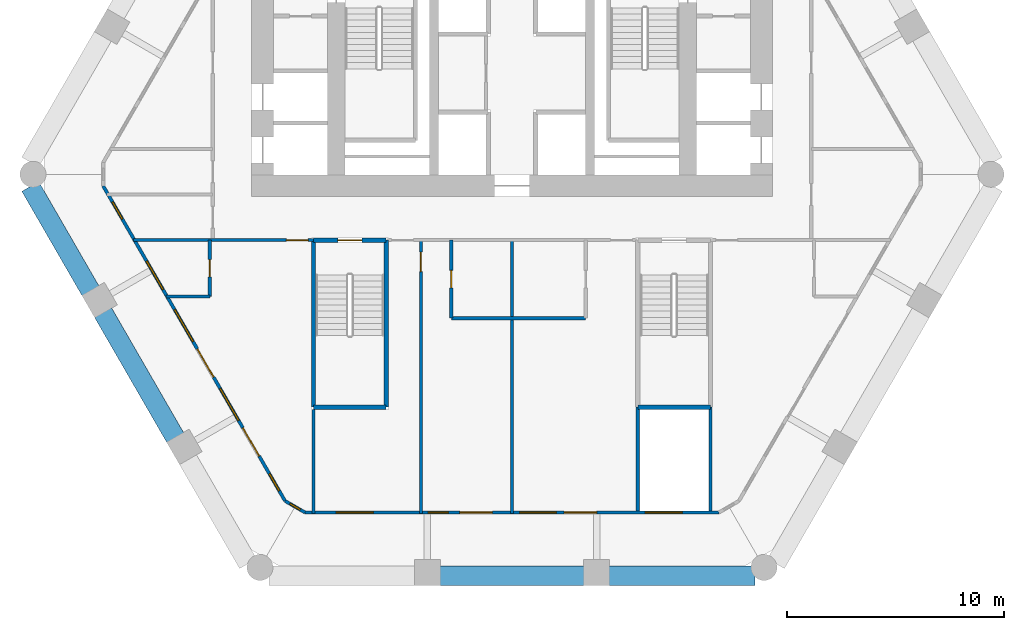
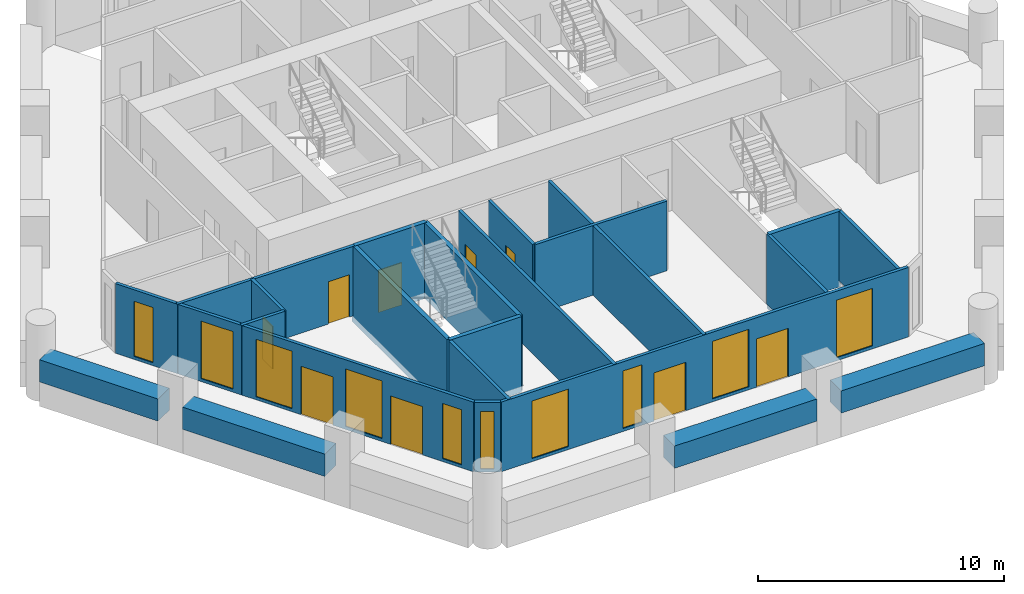
# One storey, part 2 of 7: 22 walls, 10 windows, 9 doors, 19 openings.
"""IFC4 building model written with IfcOpenShell, lengths in metres."""

from ifc_helpers import new_model, si_unit, direction, frame, frame_2d, origin, place, context, subcontext, project, spatial, rectangle, extrude, material, layer, layer_set, type_object, element, fill, save


model = new_model("IFC4")

# Units and contexts
model_context = context("Model", 3, precision=1e-05, world=origin(), true_north=direction((0.0, 1.0)))
body_context = subcontext(model_context, "Body", "Model", "MODEL_VIEW")
ifc_project = project(units=[si_unit("LENGTHUNIT", "METRE"), si_unit("AREAUNIT", "SQUARE_METRE"), si_unit("VOLUMEUNIT", "CUBIC_METRE"), si_unit("PLANEANGLEUNIT", "RADIAN"), si_unit("MASSUNIT", "GRAM", prefix="KILO")], contexts=[model_context])

# Site, building, storey
site_placement = place(None, origin())
site = spatial("IfcSite", under=ifc_project, at=site_placement, CompositionType="ELEMENT")
building_placement = place(site_placement, origin())
building = spatial("IfcBuilding", under=site, at=building_placement, Name="Ostrander Bayou Hotel Tower", CompositionType="ELEMENT")
storey_placement = place(building_placement, frame((0.0, 0.0, 123.5)))
storey = spatial("IfcBuildingStorey", under=building, at=storey_placement, Name="L30", CompositionType="ELEMENT", Elevation=123.5)

# Wall, openings, doors, windows
ifc_material_1 = material(Name="Aluminium framed insulated wall", Category="aluminium")
ifc_layer_1 = layer(ifc_material_1, 0.14990234375)
ifc_layer_set_1 = layer_set([ifc_layer_1], Name="GW1 glass-line wall 150 mm")
wall_type_1 = type_object("IfcWallType", Name="GW1 glass-line wall 150 mm", PredefinedType="SOLIDWALL", material=ifc_layer_set_1)
wall_1_placement = place(storey_placement, frame((-18.8515625, -1.197998046875, 0.0), z_axis=(0.0, 0.0, 1.0), x_axis=(0.499992448691, -0.866029763491, 0.0)))
wall_1 = element("IfcWall", 1, at=wall_1_placement, inside=storey, type_object=wall_type_1, Name="GW1 L30 SW 1", PredefinedType="SOLIDWALL", context=body_context, shape_type="SweptSolid", body=[
    extrude(rectangle(XDim=16.776611328125, YDim=0.14990234375, at=frame_2d((8.38818359375, 0.0))), origin(), (0.0, 0.0, 1.0), 3.449951171875),
])
opening_1_placement = place(wall_1_placement, frame((4.015380859375, 0.0, 0.14990234375)))
opening_1 = element("IfcOpeningElement", 2, at=opening_1_placement, cuts=wall_1, Name="Opening W12", PredefinedType="OPENING", context=body_context, shape_type="SweptSolid", body=[
    extrude(rectangle(XDim=1.5, YDim=2.85009765625, at=frame_2d((0.75, 1.425048828125))), frame((0.0, 0.074951171875, 0.0), z_axis=(0.0, -1.0, 0.0), x_axis=(1.0, 0.0, 0.0)), (0.0, 0.0, 1.0), 0.14990234375),
])
opening_2_placement = place(wall_1_placement, frame((6.58837890625, 0.0, 0.14990234375)))
opening_2 = element("IfcOpeningElement", 3, at=opening_2_placement, cuts=wall_1, Name="Opening W2", PredefinedType="OPENING", context=body_context, shape_type="SweptSolid", body=[
    extrude(rectangle(XDim=1.699951171875, YDim=2.85009765625, at=frame_2d((0.85009765625, 1.425048828125))), frame((0.0, 0.074951171875, 0.0), z_axis=(0.0, -1.0, 0.0), x_axis=(1.0, 0.0, 0.0)), (0.0, 0.0, 1.0), 0.14990234375),
])
opening_3_placement = place(wall_1_placement, frame((8.688232421875, 0.0, 0.0)))
opening_3 = element("IfcOpeningElement", 4, at=opening_3_placement, cuts=wall_1, Name="Opening T28-800", PredefinedType="OPENING", context=body_context, shape_type="SweptSolid", body=[
    extrude(rectangle(XDim=1.5, YDim=2.39990234375, at=frame_2d((0.75, 1.199951171875))), frame((0.0, 0.074951171875, 0.0), z_axis=(0.0, -1.0, 0.0), x_axis=(1.0, 0.0, 0.0)), (0.0, 0.0, 1.0), 0.14990234375),
])
opening_4_placement = place(wall_1_placement, frame((10.788330078125, 0.0, 0.14990234375)))
opening_4 = element("IfcOpeningElement", 5, at=opening_4_placement, cuts=wall_1, Name="Opening W2", PredefinedType="OPENING", context=body_context, shape_type="SweptSolid", body=[
    extrude(rectangle(XDim=1.699951171875, YDim=2.85009765625, at=frame_2d((0.85009765625, 1.425048828125))), frame((0.0, 0.074951171875, 0.0), z_axis=(0.0, -1.0, 0.0), x_axis=(1.0, 0.0, 0.0)), (0.0, 0.0, 1.0), 0.14990234375),
])
opening_5_placement = place(wall_1_placement, frame((12.88818359375, 0.0, 0.0)))
opening_5 = element("IfcOpeningElement", 6, at=opening_5_placement, cuts=wall_1, Name="Opening T28-801", PredefinedType="OPENING", context=body_context, shape_type="SweptSolid", body=[
    extrude(rectangle(XDim=1.5, YDim=2.39990234375, at=frame_2d((0.75, 1.199951171875))), frame((0.0, 0.074951171875, 0.0), z_axis=(0.0, -1.0, 0.0), x_axis=(1.0, 0.0, 0.0)), (0.0, 0.0, 1.0), 0.14990234375),
])
opening_6_placement = place(wall_1_placement, frame((0.863037109375, 0.0, 0.14990234375)))
opening_6 = element("IfcOpeningElement", 7, at=opening_6_placement, cuts=wall_1, Name="Opening W16", PredefinedType="OPENING", context=body_context, shape_type="SweptSolid", body=[
    extrude(rectangle(XDim=0.89990234375, YDim=2.72998046875, at=frame_2d((0.449951171875, 1.364990234375))), frame((0.0, 0.074951171875, 0.0), z_axis=(0.0, -1.0, 0.0), x_axis=(1.0, 0.0, 0.0)), (0.0, 0.0, 1.0), 0.14990234375),
])
opening_7_placement = place(wall_1_placement, frame((15.33251953125, 0.0, 0.14990234375)))
opening_7 = element("IfcOpeningElement", 8, at=opening_7_placement, cuts=wall_1, Name="Opening W16", PredefinedType="OPENING", context=body_context, shape_type="SweptSolid", body=[
    extrude(rectangle(XDim=0.89990234375, YDim=2.72998046875, at=frame_2d((0.449951171875, 1.364990234375))), frame((0.0, 0.074951171875, 0.0), z_axis=(0.0, -1.0, 0.0), x_axis=(1.0, 0.0, 0.0)), (0.0, 0.0, 1.0), 0.14990234375),
])
ifc_material_2 = material(Name="Aluminium and clear glass", Category="aluminium")
door_type_1 = type_object("IfcDoorType", Name="SD2 sliding glass door 1500 mm, zone 2", OperationType="SLIDING_TO_LEFT", PredefinedType="DOOR", material=ifc_material_2)
door_1_placement = place(opening_3_placement, origin())
door_1 = element("IfcDoor", 9, at=door_1_placement, inside=storey, type_object=door_type_1, Name="SD2 L30 SW 2", OperationType="SLIDING_TO_RIGHT", OverallHeight=2.39990234375, OverallWidth=1.5, PredefinedType="DOOR", context=body_context, shape_type="SweptSolid", body=[
    extrude(rectangle(XDim=1.5, YDim=2.39990234375, at=frame_2d((0.75, 1.199951171875))), frame((0.0, 0.02490234375, 0.0), z_axis=(0.0, -1.0, 0.0), x_axis=(1.0, 0.0, 0.0)), (0.0, 0.0, 1.0), 0.050048828125),
])
fill(opening_3, door_1)
door_2_placement = place(opening_5_placement, origin())
door_2 = element("IfcDoor", 10, at=door_2_placement, inside=storey, type_object=door_type_1, Name="SD2 L30 SW 3", OperationType="SLIDING_TO_LEFT", OverallHeight=2.39990234375, OverallWidth=1.5, PredefinedType="DOOR", context=body_context, shape_type="SweptSolid", body=[
    extrude(rectangle(XDim=1.5, YDim=2.39990234375, at=frame_2d((0.75, 1.199951171875))), frame((0.0, 0.02490234375, 0.0), z_axis=(0.0, -1.0, 0.0), x_axis=(1.0, 0.0, 0.0)), (0.0, 0.0, 1.0), 0.050048828125),
])
fill(opening_5, door_2)
ifc_material_3 = material(Name="Aluminium and clear glass", Category="aluminium")
window_type_1 = type_object("IfcWindowType", Name="W12 fixed window 1500 mm, bath bay, zone 2", PartitioningType="SINGLE_PANEL", PredefinedType="WINDOW", material=ifc_material_3)
window_1_placement = place(opening_1_placement, origin())
window_1 = element("IfcWindow", 11, at=window_1_placement, inside=storey, type_object=window_type_1, Name="W12 L30 SW 1", OverallHeight=2.85009765625, OverallWidth=1.5, PartitioningType="SINGLE_PANEL", PredefinedType="WINDOW", context=body_context, shape_type="SweptSolid", body=[
    extrude(rectangle(XDim=1.5, YDim=2.85009765625, at=frame_2d((0.75, 1.425048828125))), frame((0.0, 0.030029296875, 0.0), z_axis=(0.0, -1.0, 0.0), x_axis=(1.0, 0.0, 0.0)), (0.0, 0.0, 1.0), 0.06005859375),
])
fill(opening_1, window_1)
ifc_material_4 = material(Name="Aluminium and clear glass", Category="aluminium")
window_type_2 = type_object("IfcWindowType", Name="W16 window 900 mm, zone 2", PartitioningType="SINGLE_PANEL", PredefinedType="WINDOW", material=ifc_material_4)
window_2_placement = place(opening_6_placement, origin())
window_2 = element("IfcWindow", 12, at=window_2_placement, inside=storey, type_object=window_type_2, Name="W16 L30 SW E11", OverallHeight=2.72998046875, OverallWidth=0.89990234375, PartitioningType="SINGLE_PANEL", PredefinedType="WINDOW", context=body_context, shape_type="SweptSolid", body=[
    extrude(rectangle(XDim=0.89990234375, YDim=2.72998046875, at=frame_2d((0.449951171875, 1.364990234375))), frame((0.0, 0.030029296875, 0.0), z_axis=(0.0, -1.0, 0.0), x_axis=(1.0, 0.0, 0.0)), (0.0, 0.0, 1.0), 0.06005859375),
])
fill(opening_6, window_2)
window_3_placement = place(opening_7_placement, origin())
window_3 = element("IfcWindow", 13, at=window_3_placement, inside=storey, type_object=window_type_2, Name="W16 L30 SW E21", OverallHeight=2.72998046875, OverallWidth=0.89990234375, PartitioningType="SINGLE_PANEL", PredefinedType="WINDOW", context=body_context, shape_type="SweptSolid", body=[
    extrude(rectangle(XDim=0.89990234375, YDim=2.72998046875, at=frame_2d((0.449951171875, 1.364990234375))), frame((0.0, 0.030029296875, 0.0), z_axis=(0.0, -1.0, 0.0), x_axis=(1.0, 0.0, 0.0)), (0.0, 0.0, 1.0), 0.06005859375),
])
fill(opening_7, window_3)
ifc_material_5 = material(Name="Aluminium and clear glass", Category="aluminium")
window_type_3 = type_object("IfcWindowType", Name="W2 fixed window 1700 mm, zone 2", PartitioningType="SINGLE_PANEL", PredefinedType="WINDOW", material=ifc_material_5)
window_4_placement = place(opening_2_placement, origin())
window_4 = element("IfcWindow", 14, at=window_4_placement, inside=storey, type_object=window_type_3, Name="W2 L30 SW 2", OverallHeight=2.85009765625, OverallWidth=1.699951171875, PartitioningType="SINGLE_PANEL", PredefinedType="WINDOW", context=body_context, shape_type="SweptSolid", body=[
    extrude(rectangle(XDim=1.699951171875, YDim=2.85009765625, at=frame_2d((0.85009765625, 1.425048828125))), frame((0.0, 0.030029296875, 0.0), z_axis=(0.0, -1.0, 0.0), x_axis=(1.0, 0.0, 0.0)), (0.0, 0.0, 1.0), 0.06005859375),
])
fill(opening_2, window_4)
window_5_placement = place(opening_4_placement, origin())
window_5 = element("IfcWindow", 15, at=window_5_placement, inside=storey, type_object=window_type_3, Name="W2 L30 SW 3", OverallHeight=2.85009765625, OverallWidth=1.699951171875, PartitioningType="SINGLE_PANEL", PredefinedType="WINDOW", context=body_context, shape_type="SweptSolid", body=[
    extrude(rectangle(XDim=1.699951171875, YDim=2.85009765625, at=frame_2d((0.85009765625, 1.425048828125))), frame((0.0, 0.030029296875, 0.0), z_axis=(0.0, -1.0, 0.0), x_axis=(1.0, 0.0, 0.0)), (0.0, 0.0, 1.0), 0.06005859375),
])
fill(opening_4, window_5)

wall_2_placement = place(storey_placement, frame((-9.541015625, -16.259521484375, 0.0), z_axis=(0.0, 0.0, 1.0), x_axis=(1.0, 0.0, 0.0)))
wall_2 = element("IfcWall", 16, at=wall_2_placement, inside=storey, type_object=wall_type_1, Name="GW1 L30 S 1", PredefinedType="SOLIDWALL", context=body_context, shape_type="SweptSolid", body=[
    extrude(rectangle(XDim=19.08203125, YDim=0.14990234375, at=frame_2d((9.541015625, 0.0))), origin(), (0.0, 0.0, 1.0), 3.449951171875),
])
opening_8_placement = place(wall_2_placement, frame((1.44091796875, 0.0, 0.14990234375)))
opening_8 = element("IfcOpeningElement", 17, at=opening_8_placement, cuts=wall_2, Name="Opening W2", PredefinedType="OPENING", context=body_context, shape_type="SweptSolid", body=[
    extrude(rectangle(XDim=1.699951171875, YDim=2.85009765625, at=frame_2d((0.85009765625, 1.425048828125))), frame((0.0, 0.074951171875, 0.0), z_axis=(0.0, -1.0, 0.0), x_axis=(1.0, 0.0, 0.0)), (0.0, 0.0, 1.0), 0.14990234375),
])
opening_9_placement = place(wall_2_placement, frame((5.69091796875, 0.0, 0.14990234375)))
opening_9 = element("IfcOpeningElement", 18, at=opening_9_placement, cuts=wall_2, Name="Opening W16", PredefinedType="OPENING", context=body_context, shape_type="SweptSolid", body=[
    extrude(rectangle(XDim=0.89990234375, YDim=2.85009765625, at=frame_2d((0.449951171875, 1.425048828125))), frame((0.0, 0.074951171875, 0.0), z_axis=(0.0, -1.0, 0.0), x_axis=(1.0, 0.0, 0.0)), (0.0, 0.0, 1.0), 0.14990234375),
])
opening_10_placement = place(wall_2_placement, frame((7.14111328125, 0.0, 0.0)))
opening_10 = element("IfcOpeningElement", 19, at=opening_10_placement, cuts=wall_2, Name="Opening T28-802", PredefinedType="OPENING", context=body_context, shape_type="SweptSolid", body=[
    extrude(rectangle(XDim=1.5, YDim=2.39990234375, at=frame_2d((0.75, 1.199951171875))), frame((0.0, 0.074951171875, 0.0), z_axis=(0.0, -1.0, 0.0), x_axis=(1.0, 0.0, 0.0)), (0.0, 0.0, 1.0), 0.14990234375),
])
opening_11_placement = place(wall_2_placement, frame((9.89111328125, 0.0, 0.14990234375)))
opening_11 = element("IfcOpeningElement", 20, at=opening_11_placement, cuts=wall_2, Name="Opening W2", PredefinedType="OPENING", context=body_context, shape_type="SweptSolid", body=[
    extrude(rectangle(XDim=1.699951171875, YDim=2.85009765625, at=frame_2d((0.85009765625, 1.425048828125))), frame((0.0, 0.074951171875, 0.0), z_axis=(0.0, -1.0, 0.0), x_axis=(1.0, 0.0, 0.0)), (0.0, 0.0, 1.0), 0.14990234375),
])
opening_12_placement = place(wall_2_placement, frame((11.94091796875, 0.0, 0.0)))
opening_12 = element("IfcOpeningElement", 21, at=opening_12_placement, cuts=wall_2, Name="Opening T28-803", PredefinedType="OPENING", context=body_context, shape_type="SweptSolid", body=[
    extrude(rectangle(XDim=1.5, YDim=2.39990234375, at=frame_2d((0.75, 1.199951171875))), frame((0.0, 0.074951171875, 0.0), z_axis=(0.0, -1.0, 0.0), x_axis=(1.0, 0.0, 0.0)), (0.0, 0.0, 1.0), 0.14990234375),
])
opening_13_placement = place(wall_2_placement, frame((15.69091796875, 0.0, 0.14990234375)))
opening_13 = element("IfcOpeningElement", 22, at=opening_13_placement, cuts=wall_2, Name="Opening W2", PredefinedType="OPENING", context=body_context, shape_type="SweptSolid", body=[
    extrude(rectangle(XDim=1.699951171875, YDim=2.85009765625, at=frame_2d((0.85009765625, 1.425048828125))), frame((0.0, 0.074951171875, 0.0), z_axis=(0.0, -1.0, 0.0), x_axis=(1.0, 0.0, 0.0)), (0.0, 0.0, 1.0), 0.14990234375),
])
door_3_placement = place(opening_10_placement, origin())
door_3 = element("IfcDoor", 23, at=door_3_placement, inside=storey, type_object=door_type_1, Name="SD2 L30 S 2", OperationType="SLIDING_TO_RIGHT", OverallHeight=2.39990234375, OverallWidth=1.5, PredefinedType="DOOR", context=body_context, shape_type="SweptSolid", body=[
    extrude(rectangle(XDim=1.5, YDim=2.39990234375, at=frame_2d((0.75, 1.199951171875))), frame((0.0, 0.02490234375, 0.0), z_axis=(0.0, -1.0, 0.0), x_axis=(1.0, 0.0, 0.0)), (0.0, 0.0, 1.0), 0.050048828125),
])
fill(opening_10, door_3)
door_4_placement = place(opening_12_placement, origin())
door_4 = element("IfcDoor", 24, at=door_4_placement, inside=storey, type_object=door_type_1, Name="SD2 L30 S 3", OperationType="SLIDING_TO_LEFT", OverallHeight=2.39990234375, OverallWidth=1.5, PredefinedType="DOOR", context=body_context, shape_type="SweptSolid", body=[
    extrude(rectangle(XDim=1.5, YDim=2.39990234375, at=frame_2d((0.75, 1.199951171875))), frame((0.0, 0.02490234375, 0.0), z_axis=(0.0, -1.0, 0.0), x_axis=(1.0, 0.0, 0.0)), (0.0, 0.0, 1.0), 0.050048828125),
])
fill(opening_12, door_4)
window_6_placement = place(opening_9_placement, origin())
window_6 = element("IfcWindow", 25, at=window_6_placement, inside=storey, type_object=window_type_2, Name="W16 L30 S 2", OverallHeight=2.85009765625, OverallWidth=0.89990234375, PartitioningType="SINGLE_PANEL", PredefinedType="WINDOW", context=body_context, shape_type="SweptSolid", body=[
    extrude(rectangle(XDim=0.89990234375, YDim=2.85009765625, at=frame_2d((0.449951171875, 1.425048828125))), frame((0.0, 0.030029296875, 0.0), z_axis=(0.0, -1.0, 0.0), x_axis=(1.0, 0.0, 0.0)), (0.0, 0.0, 1.0), 0.06005859375),
])
fill(opening_9, window_6)
window_7_placement = place(opening_8_placement, origin())
window_7 = element("IfcWindow", 26, at=window_7_placement, inside=storey, type_object=window_type_3, Name="W2 L30 S 1", OverallHeight=2.85009765625, OverallWidth=1.699951171875, PartitioningType="SINGLE_PANEL", PredefinedType="WINDOW", context=body_context, shape_type="SweptSolid", body=[
    extrude(rectangle(XDim=1.699951171875, YDim=2.85009765625, at=frame_2d((0.85009765625, 1.425048828125))), frame((0.0, 0.030029296875, 0.0), z_axis=(0.0, -1.0, 0.0), x_axis=(1.0, 0.0, 0.0)), (0.0, 0.0, 1.0), 0.06005859375),
])
fill(opening_8, window_7)
window_8_placement = place(opening_11_placement, origin())
window_8 = element("IfcWindow", 27, at=window_8_placement, inside=storey, type_object=window_type_3, Name="W2 L30 S 3", OverallHeight=2.85009765625, OverallWidth=1.699951171875, PartitioningType="SINGLE_PANEL", PredefinedType="WINDOW", context=body_context, shape_type="SweptSolid", body=[
    extrude(rectangle(XDim=1.699951171875, YDim=2.85009765625, at=frame_2d((0.85009765625, 1.425048828125))), frame((0.0, 0.030029296875, 0.0), z_axis=(0.0, -1.0, 0.0), x_axis=(1.0, 0.0, 0.0)), (0.0, 0.0, 1.0), 0.06005859375),
])
fill(opening_11, window_8)
window_9_placement = place(opening_13_placement, origin())
window_9 = element("IfcWindow", 28, at=window_9_placement, inside=storey, type_object=window_type_3, Name="W2 L30 S 4", OverallHeight=2.85009765625, OverallWidth=1.699951171875, PartitioningType="SINGLE_PANEL", PredefinedType="WINDOW", context=body_context, shape_type="SweptSolid", body=[
    extrude(rectangle(XDim=1.699951171875, YDim=2.85009765625, at=frame_2d((0.85009765625, 1.425048828125))), frame((0.0, 0.030029296875, 0.0), z_axis=(0.0, -1.0, 0.0), x_axis=(1.0, 0.0, 0.0)), (0.0, 0.0, 1.0), 0.06005859375),
])
fill(opening_13, window_9)

# Wall, opening, window
wall_3_placement = place(storey_placement, frame((-10.46337890625, -15.72705078125, 0.0), z_axis=(0.0, 0.0, 1.0), x_axis=(0.866048165231, -0.499960573946, 0.0)))
wall_3 = element("IfcWall", 29, at=wall_3_placement, inside=storey, type_object=wall_type_1, Name="GW1 L30 corner 3", PredefinedType="SOLIDWALL", context=body_context, shape_type="SweptSolid", body=[
    extrude(rectangle(XDim=1.06494140625, YDim=0.14990234375, at=frame_2d((0.532470703125, 0.0))), origin(), (0.0, 0.0, 1.0), 3.449951171875),
])
opening_14_placement = place(wall_3_placement, frame((0.257568359375, 0.0, 0.14990234375)))
opening_14 = element("IfcOpeningElement", 30, at=opening_14_placement, cuts=wall_3, Name="Opening W19", PredefinedType="OPENING", context=body_context, shape_type="SweptSolid", body=[
    extrude(rectangle(XDim=0.550048828125, YDim=2.85009765625, at=frame_2d((0.27490234375, 1.425048828125))), frame((0.0, 0.074951171875, 0.0), z_axis=(0.0, -1.0, 0.0), x_axis=(1.0, 0.0, 0.0)), (0.0, 0.0, 1.0), 0.14990234375),
])
ifc_material_6 = material(Name="Aluminium and clear glass", Category="aluminium")
window_type_4 = type_object("IfcWindowType", Name="W19 corner window 550 mm", PartitioningType="SINGLE_PANEL", PredefinedType="WINDOW", material=ifc_material_6)
window_10_placement = place(opening_14_placement, origin())
window_10 = element("IfcWindow", 31, at=window_10_placement, inside=storey, type_object=window_type_4, Name="W19 L30 corner 3", OverallHeight=2.85009765625, OverallWidth=0.550048828125, PartitioningType="SINGLE_PANEL", PredefinedType="WINDOW", context=body_context, shape_type="SweptSolid", body=[
    extrude(rectangle(XDim=0.550048828125, YDim=2.85009765625, at=frame_2d((0.27490234375, 1.425048828125))), frame((0.0, 0.030029296875, 0.0), z_axis=(0.0, -1.0, 0.0), x_axis=(1.0, 0.0, 0.0)), (0.0, 0.0, 1.0), 0.06005859375),
])
fill(opening_14, window_10)

# Walls
ifc_material_7 = material(Name="Concrete f'c 40 MPa", Category="concrete")
ifc_layer_2 = layer(ifc_material_7, 0.89990234375)
ifc_layer_set_2 = layer_set([ifc_layer_2], Name="PA1 stone-faced parapet 900 mm")
wall_type_2 = type_object("IfcWallType", Name="PA1 stone-faced parapet 900 mm", PredefinedType="PARAPET", material=ifc_layer_set_2)
wall_4_placement = place(storey_placement, frame((-3.336669921875, -19.1845703125, 0.0), z_axis=(0.0, 0.0, 1.0), x_axis=(1.0, 0.0, 0.0)))
element("IfcWall", 32, at=wall_4_placement, inside=storey, type_object=wall_type_2, Name="PA1 L30 S-2", PredefinedType="PARAPET", context=body_context, shape_type="SweptSolid", body=[
    extrude(rectangle(XDim=6.67333984375, YDim=0.89990234375, at=frame_2d((3.336669921875, 0.0))), origin(), (0.0, 0.0, 1.0), 1.10009765625),
])
wall_5_placement = place(storey_placement, frame((4.476806640625, -19.1845703125, 0.0), z_axis=(0.0, 0.0, 1.0), x_axis=(1.0, 0.0, 0.0)))
element("IfcWall", 33, at=wall_5_placement, inside=storey, type_object=wall_type_2, Name="PA1 L30 S-3", PredefinedType="PARAPET", context=body_context, shape_type="SweptSolid", body=[
    extrude(rectangle(XDim=6.717041015625, YDim=0.89990234375, at=frame_2d((3.3583984375, 0.0))), origin(), (0.0, 0.0, 1.0), 1.10009765625),
])
ifc_material_8 = material(Name="Limestone masonry", Category="masonry")
ifc_layer_3 = layer(ifc_material_8, 0.89990234375)
ifc_layer_set_3 = layer_set([ifc_layer_3], Name="PA2 limestone parapet 900 mm")
wall_type_3 = type_object("IfcWallType", Name="PA2 limestone parapet 900 mm", PredefinedType="PARAPET", material=ifc_layer_set_3)
wall_6_placement = place(storey_placement, frame((-22.211181640625, -1.22900390625, 0.0), z_axis=(0.0, 0.0, 1.0), x_axis=(0.49998957009, -0.866031425412, 0.0)))
element("IfcWall", 34, at=wall_6_placement, inside=storey, type_object=wall_type_3, Name="PA2 L30 SW-1", PredefinedType="PARAPET", context=body_context, shape_type="SweptSolid", body=[
    extrude(rectangle(XDim=5.564453125, YDim=0.89990234375, at=frame_2d((2.7822265625, 0.0))), origin(), (0.0, 0.0, 1.0), 1.10009765625),
])
wall_7_placement = place(storey_placement, frame((-18.85888671875, -7.035400390625, 0.0), z_axis=(0.0, 0.0, 1.0), x_axis=(0.499999023957, -0.866025967302, 0.0)))
element("IfcWall", 35, at=wall_7_placement, inside=storey, type_object=wall_type_3, Name="PA2 L30 SW-2", PredefinedType="PARAPET", context=body_context, shape_type="SweptSolid", body=[
    extrude(rectangle(XDim=6.67333984375, YDim=0.89990234375, at=frame_2d((3.336669921875, 0.0))), origin(), (0.0, 0.0, 1.0), 1.10009765625),
])
ifc_material_9 = material(Name="Gypsum board partition", Category="finish")
ifc_layer_4 = layer(ifc_material_9, 0.14990234375)
ifc_layer_set_4 = layer_set([ifc_layer_4], Name="PT7 riser wall 150 mm, 2 hour")
wall_type_4 = type_object("IfcWallType", Name="PT7 riser wall 150 mm, 2 hour", PredefinedType="PARTITIONING", material=ifc_layer_set_4)
for number, where, z_axis, x_axis, name in (
    (36, (5.800048828125, -11.39990234375, 0.0), (0.0, 0.0, 1.0), (0.0, -1.0, 0.0), "cs:L30:019"),
    (37, (9.14990234375, -11.39990234375, 0.0), (0.0, 0.0, 1.0), (0.0, -1.0, 0.0), "cs:L30:020"),
):
    element("IfcWall", number, at=place(storey_placement, frame(where, z_axis=z_axis, x_axis=x_axis)), inside=storey, type_object=wall_type_4, Name=name, PredefinedType="PARTITIONING", context=body_context, shape_type="SweptSolid", body=[
        extrude(rectangle(XDim=4.78466796875, YDim=0.14990234375, at=frame_2d((2.392333984375, 0.0))), origin(), (0.0, 0.0, 1.0), 3.449951171875),
    ])
ifc_material_10 = material(Name="Gypsum board partition", Category="finish")
ifc_layer_5 = layer(ifc_material_10, 0.14990234375)
ifc_layer_set_5 = layer_set([ifc_layer_5], Name="PT8 service band wall 150 mm, 1 hour")
wall_type_5 = type_object("IfcWallType", Name="PT8 service band wall 150 mm, 1 hour", PredefinedType="PARTITIONING", material=ifc_layer_set_5)
wall_8_placement = place(storey_placement, frame((-2.800048828125, -7.300048828125, 0.0), z_axis=(0.0, 0.0, 1.0), x_axis=(1.0, 0.0, 0.0)))
element("IfcWall", 38, at=wall_8_placement, inside=storey, type_object=wall_type_5, Name="gw:L30:001", PredefinedType="PARTITIONING", context=body_context, shape_type="SweptSolid", body=[
    extrude(rectangle(XDim=6.199951171875, YDim=0.14990234375, at=frame_2d((3.10009765625, 0.0))), origin(), (0.0, 0.0, 1.0), 3.449951171875),
])
wall_9_placement = place(storey_placement, frame((-15.9580078125, -6.300048828125, 0.0), z_axis=(0.0, 0.0, 1.0), x_axis=(1.0, 0.0, 0.0)))
element("IfcWall", 39, at=wall_9_placement, inside=storey, type_object=wall_type_5, Name="gw:L30:002", PredefinedType="PARTITIONING", context=body_context, shape_type="SweptSolid", body=[
    extrude(rectangle(XDim=2.028076171875, YDim=0.14990234375, at=frame_2d((1.01416015625, 0.0))), origin(), (0.0, 0.0, 1.0), 3.449951171875),
])

# Wall, opening, door
wall_10_placement = place(storey_placement, frame((-17.458984375, -3.699951171875, 0.0), z_axis=(0.0, 0.0, 1.0), x_axis=(1.0, 0.0, 0.0)))
wall_10 = element("IfcWall", 40, at=wall_10_placement, inside=storey, type_object=wall_type_5, Name="gw:L30:004", PredefinedType="PARTITIONING", context=body_context, shape_type="SweptSolid", body=[
    extrude(rectangle(XDim=8.299072265625, YDim=0.14990234375, at=frame_2d((4.1494140625, 0.0))), origin(), (0.0, 0.0, 1.0), 3.449951171875),
])
opening_15_placement = place(wall_10_placement, frame((7.05908203125, 0.0, 0.0)))
opening_15 = element("IfcOpeningElement", 41, at=opening_15_placement, cuts=wall_10, Name="Opening T28-403", PredefinedType="OPENING", context=body_context, shape_type="SweptSolid", body=[
    extrude(rectangle(XDim=1.0, YDim=2.10009765625, at=frame_2d((0.5, 1.050048828125))), frame((0.0, 0.074951171875, 0.0), z_axis=(0.0, -1.0, 0.0), x_axis=(1.0, 0.0, 0.0)), (0.0, 0.0, 1.0), 0.14990234375),
])
ifc_material_11 = material(Name="Timber door leaf", Category="wood")
door_type_2 = type_object("IfcDoorType", Name="D1 guest room door 1000 x 2100 mm, 30 minute", OperationType="SINGLE_SWING_LEFT", PredefinedType="DOOR", material=ifc_material_11)
door_5_placement = place(opening_15_placement, origin())
door_5 = element("IfcDoor", 42, at=door_5_placement, inside=storey, type_object=door_type_2, Name="dr:L30:403", OperationType="SINGLE_SWING_RIGHT", OverallHeight=2.10009765625, OverallWidth=1.0, PredefinedType="DOOR", context=body_context, shape_type="SweptSolid", body=[
    extrude(rectangle(XDim=1.0, YDim=2.10009765625, at=frame_2d((0.5, 1.050048828125))), frame((0.0, 0.02490234375, 0.0), z_axis=(0.0, -1.0, 0.0), x_axis=(1.0, 0.0, 0.0)), (0.0, 0.0, 1.0), 0.050048828125),
])
fill(opening_15, door_5)

# Wall
wall_11_placement = place(storey_placement, frame((0.0, -16.303955078125, 0.0), z_axis=(0.0, 0.0, 1.0), x_axis=(0.0, 1.0, 0.0)))
element("IfcWall", 43, at=wall_11_placement, inside=storey, type_object=wall_type_5, Name="gw:L30:023", PredefinedType="PARTITIONING", context=body_context, shape_type="SweptSolid", body=[
    extrude(rectangle(XDim=12.60400390625, YDim=0.14990234375, at=frame_2d((6.302001953125, 0.0))), origin(), (0.0, 0.0, 1.0), 3.449951171875),
])

# Wall, opening, door
wall_12_placement = place(storey_placement, frame((-2.800048828125, -7.300048828125, 0.0), z_axis=(0.0, 0.0, 1.0), x_axis=(0.0, 1.0, 0.0)))
wall_12 = element("IfcWall", 44, at=wall_12_placement, inside=storey, type_object=wall_type_5, Name="gw:L30:024", PredefinedType="PARTITIONING", context=body_context, shape_type="SweptSolid", body=[
    extrude(rectangle(XDim=3.60009765625, YDim=0.14990234375, at=frame_2d((1.800048828125, 0.0))), origin(), (0.0, 0.0, 1.0), 3.449951171875),
])
opening_16_placement = place(wall_12_placement, frame((1.39990234375, 0.0, 0.0)))
opening_16 = element("IfcOpeningElement", 45, at=opening_16_placement, cuts=wall_12, Name="Opening T28-402", PredefinedType="OPENING", context=body_context, shape_type="SweptSolid", body=[
    extrude(rectangle(XDim=0.800048828125, YDim=2.10009765625, at=frame_2d((0.39990234375, 1.050048828125))), frame((0.0, 0.074951171875, 0.0), z_axis=(0.0, -1.0, 0.0), x_axis=(1.0, 0.0, 0.0)), (0.0, 0.0, 1.0), 0.14990234375),
])
ifc_material_12 = material(Name="Timber door leaf", Category="wood")
door_type_3 = type_object("IfcDoorType", Name="D2 bathroom door 800 x 2100 mm", OperationType="SINGLE_SWING_LEFT", PredefinedType="DOOR", material=ifc_material_12)
door_6_placement = place(opening_16_placement, origin())
door_6 = element("IfcDoor", 46, at=door_6_placement, inside=storey, type_object=door_type_3, Name="dr:L30:402", OperationType="SINGLE_SWING_RIGHT", OverallHeight=2.10009765625, OverallWidth=0.800048828125, PredefinedType="DOOR", context=body_context, shape_type="SweptSolid", body=[
    extrude(rectangle(XDim=0.800048828125, YDim=2.10009765625, at=frame_2d((0.39990234375, 1.050048828125))), frame((0.0, 0.02490234375, 0.0), z_axis=(0.0, -1.0, 0.0), x_axis=(1.0, 0.0, 0.0)), (0.0, 0.0, 1.0), 0.050048828125),
])
fill(opening_16, door_6)

wall_13_placement = place(storey_placement, frame((-4.199951171875, -16.303955078125, 0.0), z_axis=(0.0, 0.0, 1.0), x_axis=(0.0, 1.0, 0.0)))
wall_13 = element("IfcWall", 47, at=wall_13_placement, inside=storey, type_object=wall_type_5, Name="gw:L30:026", PredefinedType="PARTITIONING", context=body_context, shape_type="SweptSolid", body=[
    extrude(rectangle(XDim=12.60400390625, YDim=0.14990234375, at=frame_2d((6.302001953125, 0.0))), origin(), (0.0, 0.0, 1.0), 3.449951171875),
])
opening_17_placement = place(wall_13_placement, frame((11.154052734375, 0.0, 0.0)))
opening_17 = element("IfcOpeningElement", 48, at=opening_17_placement, cuts=wall_13, Name="Opening T28-401", PredefinedType="OPENING", context=body_context, shape_type="SweptSolid", body=[
    extrude(rectangle(XDim=0.89990234375, YDim=2.10009765625, at=frame_2d((0.449951171875, 1.050048828125))), frame((0.0, 0.074951171875, 0.0), z_axis=(0.0, -1.0, 0.0), x_axis=(1.0, 0.0, 0.0)), (0.0, 0.0, 1.0), 0.14990234375),
])
ifc_material_13 = material(Name="Timber door leaf", Category="wood")
door_type_4 = type_object("IfcDoorType", Name="D8 room door 900 x 2100 mm", OperationType="SINGLE_SWING_LEFT", PredefinedType="DOOR", material=ifc_material_13)
door_7_placement = place(opening_17_placement, origin())
door_7 = element("IfcDoor", 49, at=door_7_placement, inside=storey, type_object=door_type_4, Name="dr:L30:401", OperationType="SINGLE_SWING_RIGHT", OverallHeight=2.10009765625, OverallWidth=0.89990234375, PredefinedType="DOOR", context=body_context, shape_type="SweptSolid", body=[
    extrude(rectangle(XDim=0.89990234375, YDim=2.10009765625, at=frame_2d((0.449951171875, 1.050048828125))), frame((0.0, 0.02490234375, 0.0), z_axis=(0.0, -1.0, 0.0), x_axis=(1.0, 0.0, 0.0)), (0.0, 0.0, 1.0), 0.050048828125),
])
fill(opening_17, door_7)

# Wall
wall_14_placement = place(storey_placement, frame((-9.14990234375, -16.303955078125, 0.0), z_axis=(0.0, 0.0, 1.0), x_axis=(0.0, 1.0, 0.0)))
element("IfcWall", 50, at=wall_14_placement, inside=storey, type_object=wall_type_5, Name="gw:L30:028", PredefinedType="PARTITIONING", context=body_context, shape_type="SweptSolid", body=[
    extrude(rectangle(XDim=4.7939453125, YDim=0.14990234375, at=frame_2d((2.39697265625, 0.0))), origin(), (0.0, 0.0, 1.0), 3.449951171875),
])

# Wall, opening, door
wall_15_placement = place(storey_placement, frame((-13.929931640625, -6.300048828125, 0.0), z_axis=(0.0, 0.0, 1.0), x_axis=(0.0, 1.0, 0.0)))
wall_15 = element("IfcWall", 51, at=wall_15_placement, inside=storey, type_object=wall_type_5, Name="gw:L30:031", PredefinedType="PARTITIONING", context=body_context, shape_type="SweptSolid", body=[
    extrude(rectangle(XDim=2.60009765625, YDim=0.14990234375, at=frame_2d((1.300048828125, 0.0))), origin(), (0.0, 0.0, 1.0), 3.449951171875),
])
opening_18_placement = place(wall_15_placement, frame((0.89990234375, 0.0, 0.0)))
opening_18 = element("IfcOpeningElement", 52, at=opening_18_placement, cuts=wall_15, Name="Opening T28-404", PredefinedType="OPENING", context=body_context, shape_type="SweptSolid", body=[
    extrude(rectangle(XDim=0.800048828125, YDim=2.10009765625, at=frame_2d((0.39990234375, 1.050048828125))), frame((0.0, 0.074951171875, 0.0), z_axis=(0.0, -1.0, 0.0), x_axis=(1.0, 0.0, 0.0)), (0.0, 0.0, 1.0), 0.14990234375),
])
door_8_placement = place(opening_18_placement, origin())
door_8 = element("IfcDoor", 53, at=door_8_placement, inside=storey, type_object=door_type_3, Name="dr:L30:404", OperationType="SINGLE_SWING_RIGHT", OverallHeight=2.10009765625, OverallWidth=0.800048828125, PredefinedType="DOOR", context=body_context, shape_type="SweptSolid", body=[
    extrude(rectangle(XDim=0.800048828125, YDim=2.10009765625, at=frame_2d((0.39990234375, 1.050048828125))), frame((0.0, 0.02490234375, 0.0), z_axis=(0.0, -1.0, 0.0), x_axis=(1.0, 0.0, 0.0)), (0.0, 0.0, 1.0), 0.050048828125),
])
fill(opening_18, door_8)

# Wall
ifc_material_14 = material(Name="Concrete f'c 45 MPa", Category="concrete")
ifc_layer_6 = layer(ifc_material_14, 0.199951171875)
ifc_layer_set_6 = layer_set([ifc_layer_6], Name="SW5 stair enclosure wall 200 mm f'c 45 MPa")
wall_type_6 = type_object("IfcWallType", Name="SW5 stair enclosure wall 200 mm f'c 45 MPa", PredefinedType="SOLIDWALL", material=ifc_layer_set_6)
wall_16_placement = place(storey_placement, frame((5.800048828125, -11.39990234375, -0.300048828125), z_axis=(0.0, 0.0, 1.0), x_axis=(1.0, 0.0, 0.0)))
element("IfcWall", 54, at=wall_16_placement, inside=storey, type_object=wall_type_6, Name="cs:L30:018", PredefinedType="SOLIDWALL", context=body_context, shape_type="SweptSolid", body=[
    extrude(rectangle(XDim=3.349853515625, YDim=0.199951171875, at=frame_2d((1.6748046875, 0.0))), origin(), (0.0, 0.0, 1.0), 3.75),
])

# Wall, opening, door
wall_17_placement = place(storey_placement, frame((-9.14990234375, -3.699951171875, -0.300048828125), z_axis=(0.0, 0.0, 1.0), x_axis=(1.0, 0.0, 0.0)))
wall_17 = element("IfcWall", 55, at=wall_17_placement, inside=storey, type_object=wall_type_6, Name="cs:L30:021", PredefinedType="SOLIDWALL", context=body_context, shape_type="SweptSolid", body=[
    extrude(rectangle(XDim=3.349853515625, YDim=0.199951171875, at=frame_2d((1.6748046875, 0.0))), origin(), (0.0, 0.0, 1.0), 3.75),
])
opening_19_placement = place(wall_17_placement, frame((1.125, 0.0, 0.0)))
opening_19 = element("IfcOpeningElement", 56, at=opening_19_placement, cuts=wall_17, Name="Opening T28-008", PredefinedType="OPENING", context=body_context, shape_type="SweptSolid", body=[
    extrude(rectangle(XDim=1.10009765625, YDim=2.10009765625, at=frame_2d((0.550048828125, 1.050048828125))), frame((0.0, 0.10009765625, 0.0), z_axis=(0.0, -1.0, 0.0), x_axis=(1.0, 0.0, 0.0)), (0.0, 0.0, 1.0), 0.199951171875),
])
ifc_material_15 = material(Name="Timber door leaf", Category="wood")
door_type_5 = type_object("IfcDoorType", Name="D5 stair door 1100 x 2100 mm, 90 minute", OperationType="SINGLE_SWING_LEFT", PredefinedType="DOOR", material=ifc_material_15)
door_9_placement = place(opening_19_placement, origin())
door_9 = element("IfcDoor", 57, at=door_9_placement, inside=storey, type_object=door_type_5, Name="dr:L30:008", OperationType="SINGLE_SWING_LEFT", OverallHeight=2.10009765625, OverallWidth=1.10009765625, PredefinedType="DOOR", context=body_context, shape_type="SweptSolid", body=[
    extrude(rectangle(XDim=1.10009765625, YDim=2.10009765625, at=frame_2d((0.550048828125, 1.050048828125))), frame((0.0, 0.02490234375, 0.0), z_axis=(0.0, -1.0, 0.0), x_axis=(1.0, 0.0, 0.0)), (0.0, 0.0, 1.0), 0.050048828125),
])
fill(opening_19, door_9)

# Walls
for number, where, z_axis, x_axis, name in (
    (58, (-9.14990234375, -3.699951171875, -0.300048828125), (0.0, 0.0, 1.0), (0.0, -1.0, 0.0), "cs:L30:022"),
    (59, (-5.800048828125, -3.699951171875, -0.300048828125), (0.0, 0.0, 1.0), (0.0, -1.0, 0.0), "cs:L30:023"),
):
    element("IfcWall", number, at=place(storey_placement, frame(where, z_axis=z_axis, x_axis=x_axis)), inside=storey, type_object=wall_type_6, Name=name, PredefinedType="SOLIDWALL", context=body_context, shape_type="SweptSolid", body=[
        extrude(rectangle(XDim=7.699951171875, YDim=0.199951171875, at=frame_2d((3.85009765625, 0.0))), origin(), (0.0, 0.0, 1.0), 3.75),
    ])
wall_18_placement = place(storey_placement, frame((-9.14990234375, -11.39990234375, -0.300048828125), z_axis=(0.0, 0.0, 1.0), x_axis=(1.0, 0.0, 0.0)))
element("IfcWall", 60, at=wall_18_placement, inside=storey, type_object=wall_type_6, Name="cs:L30:024", PredefinedType="SOLIDWALL", context=body_context, shape_type="SweptSolid", body=[
    extrude(rectangle(XDim=3.349853515625, YDim=0.199951171875, at=frame_2d((1.6748046875, 0.0))), origin(), (0.0, 0.0, 1.0), 3.75),
])

save(model, "model.ifc")
